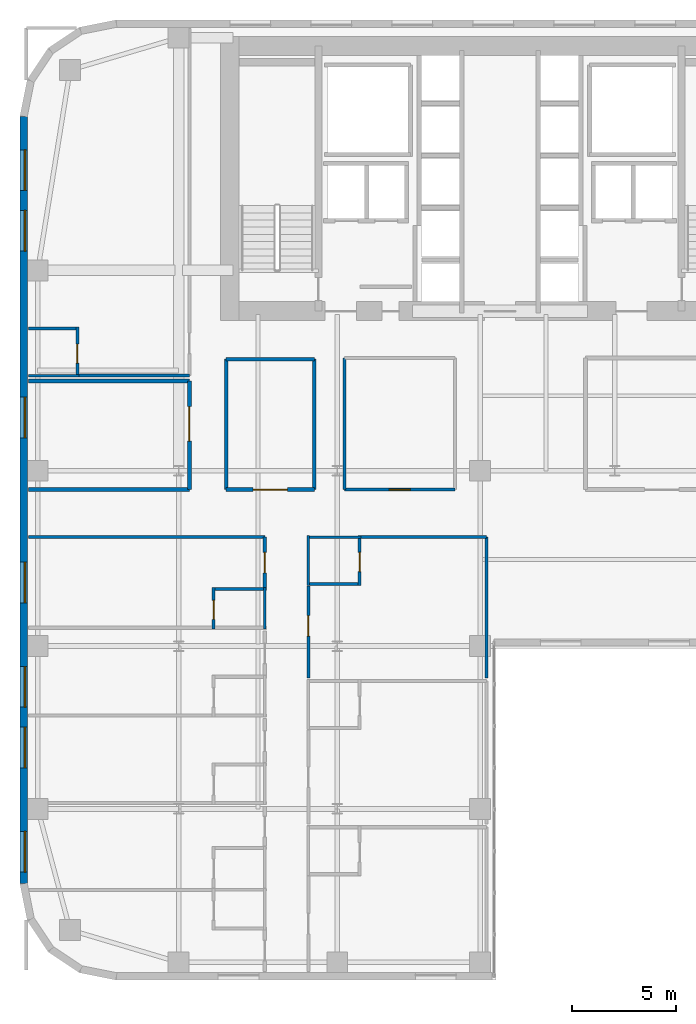
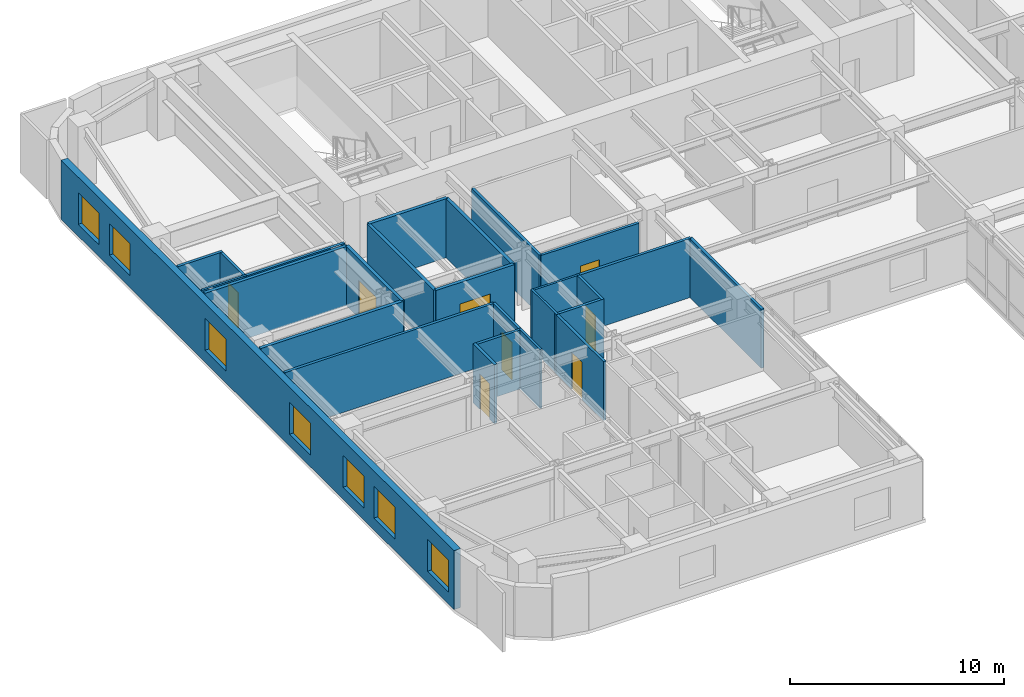
# One storey, part 11 of 17: 26 walls, 8 doors, 7 windows, 15 openings.
"""IFC4 building model written with IfcOpenShell, lengths in metres."""

from ifc_helpers import new_model, si_unit, direction, frame, frame_2d, origin, place, context, subcontext, project, spatial, rectangle, extrude, source, transform, mapped, material, layer, layer_set, type_object, type_shapes, element, fill, save


model = new_model("IFC4")

# Units and contexts
model_context = context("Model", 3, precision=1e-05, world=origin(), true_north=direction((0.0, 1.0)))
body_context = subcontext(model_context, "Body", "Model", "MODEL_VIEW")
ifc_project = project(units=[si_unit("LENGTHUNIT", "METRE"), si_unit("AREAUNIT", "SQUARE_METRE"), si_unit("VOLUMEUNIT", "CUBIC_METRE"), si_unit("PLANEANGLEUNIT", "RADIAN"), si_unit("MASSUNIT", "GRAM", prefix="KILO")], contexts=[model_context])

# Site, building, storey
site_placement = place(None, origin())
site = spatial("IfcSite", under=ifc_project, at=site_placement, CompositionType="ELEMENT")
building_placement = place(site_placement, origin())
building = spatial("IfcBuilding", under=site, at=building_placement, Name="Tolvann Quenvar Hotel", CompositionType="ELEMENT")
storey_placement = place(building_placement, frame((0.0, 0.0, 35.550048828125)))
storey = spatial("IfcBuildingStorey", under=building, at=storey_placement, Name="L07", CompositionType="ELEMENT", Elevation=35.550048828125)

# Wall, openings, windows
ifc_material_1 = material(Name="Kiln-fired red and buff architectural clay brickwork and terracotta masonry", Category="masonry")
ifc_layer_1 = layer(ifc_material_1, 0.35009765625)
ifc_layer_set_1 = layer_set([ifc_layer_1], Name="Kiln-fired red and buff architectural clay brickwork and terracotta masonry")
wall_type_1 = type_object("IfcWallType", Name="WALL_EXT_BRICK_350", PredefinedType="SOLIDWALL", material=ifc_layer_set_1)
wall_1_placement = place(storey_placement, frame((0.175048828125, 41.3828125, 0.0), z_axis=(0.0, 0.0, 1.0), x_axis=(0.0, -1.0, 0.0)))
wall_1 = element("IfcWall", 1, at=wall_1_placement, inside=storey, type_object=wall_type_1, Name="Exterior Chicago Brick Wall L07-E23", PredefinedType="SOLIDWALL", context=body_context, shape_type="SweptSolid", body=[
    extrude(rectangle(XDim=36.765625, YDim=0.35009765625, at=frame_2d((18.3828125, 0.0))), origin(), (0.0, 0.0, 1.0), 3.369873046875),
])
opening_1_placement = place(wall_1_placement, frame((1.60107421875, 0.0, 0.679931640625)))
opening_1 = element("IfcOpeningElement", 2, at=opening_1_placement, cuts=wall_1, Name="Opening W-10", PredefinedType="OPENING", context=body_context, shape_type="SweptSolid", body=[
    extrude(rectangle(XDim=1.949951171875, YDim=1.820068359375, at=frame_2d((0.97509765625, 0.91015625))), frame((0.0, 0.18505859375, 0.0), z_axis=(0.0, -1.0, 0.0), x_axis=(1.0, 0.0, 0.0)), (0.0, 0.0, 1.0), 0.3701171875),
])
opening_2_placement = place(wall_1_placement, frame((4.5029296875, 0.0, 0.679931640625)))
opening_2 = element("IfcOpeningElement", 3, at=opening_2_placement, cuts=wall_1, Name="Opening W-10", PredefinedType="OPENING", context=body_context, shape_type="SweptSolid", body=[
    extrude(rectangle(XDim=1.949951171875, YDim=1.820068359375, at=frame_2d((0.97509765625, 0.91015625))), frame((0.0, 0.18505859375, 0.0), z_axis=(0.0, -1.0, 0.0), x_axis=(1.0, 0.0, 0.0)), (0.0, 0.0, 1.0), 0.3701171875),
])
opening_3_placement = place(wall_1_placement, frame((13.4560546875, 0.0, 0.679931640625)))
opening_3 = element("IfcOpeningElement", 4, at=opening_3_placement, cuts=wall_1, Name="Opening W-10", PredefinedType="OPENING", context=body_context, shape_type="SweptSolid", body=[
    extrude(rectangle(XDim=1.949951171875, YDim=1.820068359375, at=frame_2d((0.97509765625, 0.91015625))), frame((0.0, 0.18505859375, 0.0), z_axis=(0.0, -1.0, 0.0), x_axis=(1.0, 0.0, 0.0)), (0.0, 0.0, 1.0), 0.3701171875),
])
opening_4_placement = place(wall_1_placement, frame((21.360107421875, 0.0, 0.679931640625)))
opening_4 = element("IfcOpeningElement", 5, at=opening_4_placement, cuts=wall_1, Name="Opening W-10", PredefinedType="OPENING", context=body_context, shape_type="SweptSolid", body=[
    extrude(rectangle(XDim=1.949951171875, YDim=1.820068359375, at=frame_2d((0.97509765625, 0.91015625))), frame((0.0, 0.18505859375, 0.0), z_axis=(0.0, -1.0, 0.0), x_axis=(1.0, 0.0, 0.0)), (0.0, 0.0, 1.0), 0.3701171875),
])
opening_5_placement = place(wall_1_placement, frame((26.361083984375, 0.0, 0.679931640625)))
opening_5 = element("IfcOpeningElement", 6, at=opening_5_placement, cuts=wall_1, Name="Opening W-10", PredefinedType="OPENING", context=body_context, shape_type="SweptSolid", body=[
    extrude(rectangle(XDim=1.949951171875, YDim=1.820068359375, at=frame_2d((0.97509765625, 0.91015625))), frame((0.0, 0.18505859375, 0.0), z_axis=(0.0, -1.0, 0.0), x_axis=(1.0, 0.0, 0.0)), (0.0, 0.0, 1.0), 0.3701171875),
])
opening_6_placement = place(wall_1_placement, frame((29.262939453125, 0.0, 0.679931640625)))
opening_6 = element("IfcOpeningElement", 7, at=opening_6_placement, cuts=wall_1, Name="Opening W-10", PredefinedType="OPENING", context=body_context, shape_type="SweptSolid", body=[
    extrude(rectangle(XDim=1.949951171875, YDim=1.820068359375, at=frame_2d((0.97509765625, 0.91015625))), frame((0.0, 0.18505859375, 0.0), z_axis=(0.0, -1.0, 0.0), x_axis=(1.0, 0.0, 0.0)), (0.0, 0.0, 1.0), 0.3701171875),
])
opening_7_placement = place(wall_1_placement, frame((34.264892578125, 0.0, 0.679931640625)))
opening_7 = element("IfcOpeningElement", 8, at=opening_7_placement, cuts=wall_1, Name="Opening W-10", PredefinedType="OPENING", context=body_context, shape_type="SweptSolid", body=[
    extrude(rectangle(XDim=1.949951171875, YDim=1.820068359375, at=frame_2d((0.97509765625, 0.91015625))), frame((0.0, 0.18505859375, 0.0), z_axis=(0.0, -1.0, 0.0), x_axis=(1.0, 0.0, 0.0)), (0.0, 0.0, 1.0), 0.3701171875),
])
ifc_material_2 = material(Name="Thermally broken bronze-anodised aluminium frame with double low-E glazing", Category="aluminium")
window_type = type_object("IfcWindowType", Name="WIN_CLB_1950x1850", PartitioningType="DOUBLE_PANEL_VERTICAL", PredefinedType="WINDOW", material=ifc_material_2)
shared_shape_1 = source(origin(), body_context, "Body", "SweptSolid", [
    extrude(rectangle(XDim=1.949951171875, YDim=1.820068359375, at=frame_2d((0.97509765625, 0.91015625))), frame((0.0, 0.090087890625, 0.0), z_axis=(0.0, -1.0, 0.0), x_axis=(1.0, 0.0, 0.0)), (0.0, 0.0, 1.0), 0.06005859375),
])
type_shapes(window_type, [shared_shape_1])
window_1_placement = place(opening_1_placement, origin())
window_1 = element("IfcWindow", 9, at=window_1_placement, inside=storey, type_object=window_type, Name="Chicago Window W-10 (EW-L07-E23-W01)", OverallHeight=1.820068359375, OverallWidth=1.949951171875, PartitioningType="DOUBLE_PANEL_VERTICAL", PredefinedType="WINDOW", context=body_context, shape_type="MappedRepresentation", body=[
    mapped(shared_shape_1, transform((0.0, 0.0, 0.0), x_axis=(1.0, 0.0, 0.0), y_axis=(0.0, 1.0, 0.0), z_axis=(0.0, 0.0, 1.0), scale=1.0)),
])
fill(opening_1, window_1)
window_2_placement = place(opening_2_placement, origin())
window_2 = element("IfcWindow", 10, at=window_2_placement, inside=storey, type_object=window_type, Name="Chicago Window W-10 (EW-L07-E23-W02)", OverallHeight=1.820068359375, OverallWidth=1.949951171875, PartitioningType="DOUBLE_PANEL_VERTICAL", PredefinedType="WINDOW", context=body_context, shape_type="MappedRepresentation", body=[
    mapped(shared_shape_1, transform((0.0, 0.0, 0.0), x_axis=(1.0, 0.0, 0.0), y_axis=(0.0, 1.0, 0.0), z_axis=(0.0, 0.0, 1.0), scale=1.0)),
])
fill(opening_2, window_2)
window_3_placement = place(opening_3_placement, origin())
window_3 = element("IfcWindow", 11, at=window_3_placement, inside=storey, type_object=window_type, Name="Chicago Window W-10 (EW-L07-E23-W03)", OverallHeight=1.820068359375, OverallWidth=1.949951171875, PartitioningType="DOUBLE_PANEL_VERTICAL", PredefinedType="WINDOW", context=body_context, shape_type="MappedRepresentation", body=[
    mapped(shared_shape_1, transform((0.0, 0.0, 0.0), x_axis=(1.0, 0.0, 0.0), y_axis=(0.0, 1.0, 0.0), z_axis=(0.0, 0.0, 1.0), scale=1.0)),
])
fill(opening_3, window_3)
window_4_placement = place(opening_4_placement, origin())
window_4 = element("IfcWindow", 12, at=window_4_placement, inside=storey, type_object=window_type, Name="Chicago Window W-10 (EW-L07-E23-W04)", OverallHeight=1.820068359375, OverallWidth=1.949951171875, PartitioningType="DOUBLE_PANEL_VERTICAL", PredefinedType="WINDOW", context=body_context, shape_type="MappedRepresentation", body=[
    mapped(shared_shape_1, transform((0.0, 0.0, 0.0), x_axis=(1.0, 0.0, 0.0), y_axis=(0.0, 1.0, 0.0), z_axis=(0.0, 0.0, 1.0), scale=1.0)),
])
fill(opening_4, window_4)
window_5_placement = place(opening_5_placement, origin())
window_5 = element("IfcWindow", 13, at=window_5_placement, inside=storey, type_object=window_type, Name="Chicago Window W-10 (EW-L07-E23-W05)", OverallHeight=1.820068359375, OverallWidth=1.949951171875, PartitioningType="DOUBLE_PANEL_VERTICAL", PredefinedType="WINDOW", context=body_context, shape_type="MappedRepresentation", body=[
    mapped(shared_shape_1, transform((0.0, 0.0, 0.0), x_axis=(1.0, 0.0, 0.0), y_axis=(0.0, 1.0, 0.0), z_axis=(0.0, 0.0, 1.0), scale=1.0)),
])
fill(opening_5, window_5)
window_6_placement = place(opening_6_placement, origin())
window_6 = element("IfcWindow", 14, at=window_6_placement, inside=storey, type_object=window_type, Name="Chicago Window W-10 (EW-L07-E23-W06)", OverallHeight=1.820068359375, OverallWidth=1.949951171875, PartitioningType="DOUBLE_PANEL_VERTICAL", PredefinedType="WINDOW", context=body_context, shape_type="MappedRepresentation", body=[
    mapped(shared_shape_1, transform((0.0, 0.0, 0.0), x_axis=(1.0, 0.0, 0.0), y_axis=(0.0, 1.0, 0.0), z_axis=(0.0, 0.0, 1.0), scale=1.0)),
])
fill(opening_6, window_6)
window_7_placement = place(opening_7_placement, origin())
window_7 = element("IfcWindow", 15, at=window_7_placement, inside=storey, type_object=window_type, Name="Chicago Window W-10 (EW-L07-E23-W07)", OverallHeight=1.820068359375, OverallWidth=1.949951171875, PartitioningType="DOUBLE_PANEL_VERTICAL", PredefinedType="WINDOW", context=body_context, shape_type="MappedRepresentation", body=[
    mapped(shared_shape_1, transform((0.0, 0.0, 0.0), x_axis=(1.0, 0.0, 0.0), y_axis=(0.0, 1.0, 0.0), z_axis=(0.0, 0.0, 1.0), scale=1.0)),
])
fill(opening_7, window_7)

# Wall, opening, door
ifc_material_3 = material(Name="Acoustic twin-stud fire-rated gypsum plasterboard partition")
ifc_layer_2 = layer(ifc_material_3, 0.179931640625)
ifc_layer_set_2 = layer_set([ifc_layer_2], Name="Acoustic twin-stud fire-rated gypsum plasterboard partition")
wall_type_2 = type_object("IfcWallType", Name="WALL_PART_ACOUSTIC_180", PredefinedType="PARTITIONING", material=ifc_layer_set_2)
wall_2_placement = place(storey_placement, frame((8.1201171875, 23.5, 0.0), z_axis=(0.0, 0.0, 1.0), x_axis=(0.0, 1.0, 0.0)))
wall_2 = element("IfcWall", 16, at=wall_2_placement, inside=storey, type_object=wall_type_2, Name="Interior Partition PT-SPC-L07-SAL-ENT", PredefinedType="PARTITIONING", context=body_context, shape_type="SweptSolid", body=[
    extrude(rectangle(XDim=5.199951171875, YDim=0.179931640625, at=frame_2d((2.60009765625, 0.0))), origin(), (0.0, 0.0, 1.0), 3.369873046875),
])
opening_8_placement = place(wall_2_placement, frame((2.324951171875, 0.0, 0.0)))
opening_8 = element("IfcOpeningElement", 17, at=opening_8_placement, cuts=wall_2, Name="Opening AD-01", PredefinedType="OPENING", context=body_context, shape_type="SweptSolid", body=[
    extrude(rectangle(XDim=1.64990234375, YDim=2.14990234375, at=frame_2d((0.824951171875, 1.074951171875))), frame((0.0, 0.10009765625, 0.0), z_axis=(0.0, -1.0, 0.0), x_axis=(1.0, 0.0, 0.0)), (0.0, 0.0, 1.0), 0.199951171875),
])
ifc_material_4 = material(Name="Solid-core American oak acoustic fire door leaf in steel frame", Category="steel")
door_type_1 = type_object("IfcDoorType", Name="DOOR_SALON_1650", OperationType="NOTDEFINED", PredefinedType="DOOR", material=ifc_material_4)
shared_shape_2 = source(origin(), body_context, "Body", "SweptSolid", [
    extrude(rectangle(XDim=1.64990234375, YDim=2.14990234375, at=frame_2d((0.824951171875, 1.074951171875))), frame((0.0, 0.02490234375, 0.0), z_axis=(0.0, -1.0, 0.0), x_axis=(1.0, 0.0, 0.0)), (0.0, 0.0, 1.0), 0.050048828125),
])
type_shapes(door_type_1, [shared_shape_2])
door_1_placement = place(opening_8_placement, origin())
door_1 = element("IfcDoor", 18, at=door_1_placement, inside=storey, type_object=door_type_1, Name="Interior Door DOOR-SPC-L07-SAL", OperationType="DOUBLE_DOOR_SINGLE_SWING", OverallHeight=2.14990234375, OverallWidth=1.64990234375, PredefinedType="DOOR", context=body_context, shape_type="MappedRepresentation", body=[
    mapped(shared_shape_2, transform((0.0, 0.0, 0.0), x_axis=(1.0, 0.0, 0.0), y_axis=(0.0, 1.0, 0.0), z_axis=(0.0, 0.0, 1.0), scale=1.0)),
])
fill(opening_8, door_1)

# Walls
for number, where, z_axis, x_axis, name in (
    (19, (0.405029296875, 23.5, 0.0), (0.0, 0.0, 1.0), (1.0, 0.0, 0.0), "Interior Partition PT-SPC-L07-SAL-S"),
    (20, (0.405029296875, 28.699951171875, 0.0), (0.0, 0.0, 1.0), (1.0, 0.0, 0.0), "Interior Partition PT-SPC-L07-SAL-N"),
):
    element("IfcWall", number, at=place(storey_placement, frame(where, z_axis=z_axis, x_axis=x_axis)), inside=storey, type_object=wall_type_2, Name=name, PredefinedType="PARTITIONING", context=body_context, shape_type="SweptSolid", body=[
        extrude(rectangle(XDim=7.715087890625, YDim=0.179931640625, at=frame_2d((3.857421875, 0.0))), origin(), (0.0, 0.0, 1.0), 3.369873046875),
    ])

# Wall, opening, door
wall_3_placement = place(storey_placement, frame((9.8798828125, 23.5, 0.0), z_axis=(0.0, 0.0, 1.0), x_axis=(1.0, 0.0, 0.0)))
wall_3 = element("IfcWall", 21, at=wall_3_placement, inside=storey, type_object=wall_type_2, Name="Interior Partition PT-SPC-L07-MSP-W-S", PredefinedType="PARTITIONING", context=body_context, shape_type="SweptSolid", body=[
    extrude(rectangle(XDim=4.22021484375, YDim=0.179931640625, at=frame_2d((2.110107421875, 0.0))), origin(), (0.0, 0.0, 1.0), 3.369873046875),
])
opening_9_placement = place(wall_3_placement, frame((1.284912109375, 0.0, 0.0)))
opening_9 = element("IfcOpeningElement", 22, at=opening_9_placement, cuts=wall_3, Name="Opening AD-01", PredefinedType="OPENING", context=body_context, shape_type="SweptSolid", body=[
    extrude(rectangle(XDim=1.64990234375, YDim=2.14990234375, at=frame_2d((0.824951171875, 1.074951171875))), frame((0.0, 0.10009765625, 0.0), z_axis=(0.0, -1.0, 0.0), x_axis=(1.0, 0.0, 0.0)), (0.0, 0.0, 1.0), 0.199951171875),
])
door_2_placement = place(opening_9_placement, origin())
door_2 = element("IfcDoor", 23, at=door_2_placement, inside=storey, type_object=door_type_1, Name="Interior Door DOOR-SPC-L07-MSP-W", OperationType="DOUBLE_DOOR_SINGLE_SWING", OverallHeight=2.14990234375, OverallWidth=1.64990234375, PredefinedType="DOOR", context=body_context, shape_type="MappedRepresentation", body=[
    mapped(shared_shape_2, transform((0.0, 0.0, 0.0), x_axis=(1.0, 0.0, 0.0), y_axis=(0.0, 1.0, 0.0), z_axis=(0.0, 0.0, 1.0), scale=1.0)),
])
fill(opening_9, door_2)

# Walls
wall_4_placement = place(storey_placement, frame((9.8798828125, 29.75, 0.0), z_axis=(0.0, 0.0, 1.0), x_axis=(1.0, 0.0, 0.0)))
element("IfcWall", 24, at=wall_4_placement, inside=storey, type_object=wall_type_2, Name="Interior Partition PT-SPC-L07-MSP-W-N", PredefinedType="PARTITIONING", context=body_context, shape_type="SweptSolid", body=[
    extrude(rectangle(XDim=4.22021484375, YDim=0.179931640625, at=frame_2d((2.110107421875, 0.0))), origin(), (0.0, 0.0, 1.0), 3.369873046875),
])
for number, where, z_axis, x_axis, name in (
    (25, (9.8798828125, 23.5, 0.0), (0.0, 0.0, 1.0), (0.0, 1.0, 0.0), "Interior Partition PT-SPC-L07-MSP-W-W"),
    (26, (14.10009765625, 23.5, 0.0), (0.0, 0.0, 1.0), (0.0, 1.0, 0.0), "Interior Partition PT-SPC-L07-MSP-W-E"),
):
    element("IfcWall", number, at=place(storey_placement, frame(where, z_axis=z_axis, x_axis=x_axis)), inside=storey, type_object=wall_type_2, Name=name, PredefinedType="PARTITIONING", context=body_context, shape_type="SweptSolid", body=[
        extrude(rectangle(XDim=6.25, YDim=0.179931640625, at=frame_2d((3.125, 0.0))), origin(), (0.0, 0.0, 1.0), 3.369873046875),
    ])
ifc_material_5 = material(Name="Moisture-resistant acoustic plumbing wall assembly")
ifc_layer_3 = layer(ifc_material_5, 0.1201171875)
ifc_layer_set_3 = layer_set([ifc_layer_3], Name="Moisture-resistant acoustic plumbing wall assembly")
wall_type_3 = type_object("IfcWallType", Name="WALL_PART_BATH_120", PredefinedType="PLUMBINGWALL", material=ifc_layer_set_3)
wall_5_placement = place(storey_placement, frame((11.72998046875, 16.81005859375, 0.0), z_axis=(0.0, 0.0, 1.0), x_axis=(0.0, 1.0, 0.0)))
element("IfcWall", 27, at=wall_5_placement, inside=storey, type_object=wall_type_3, Name="Non-Rated Plumbing Partition PT-SPC-L07-ENS-WO05-E", PredefinedType="PLUMBINGWALL", context=body_context, shape_type="SweptSolid", body=[
    extrude(rectangle(XDim=1.989990234375, YDim=0.1201171875, at=frame_2d((0.9951171875, 0.0))), origin(), (0.0, 0.0, 1.0), 3.369873046875),
])
wall_6_placement = place(storey_placement, frame((13.75, 21.219970703125, 0.0), z_axis=(0.0, 0.0, 1.0), x_axis=(1.0, 0.0, 0.0)))
element("IfcWall", 28, at=wall_6_placement, inside=storey, type_object=wall_type_3, Name="Non-Rated Plumbing Partition PT-SPC-L07-ENS-WI03-N", PredefinedType="PLUMBINGWALL", context=body_context, shape_type="SweptSolid", body=[
    extrude(rectangle(XDim=2.590087890625, YDim=0.1201171875, at=frame_2d((1.294921875, 0.0))), origin(), (0.0, 0.0, 1.0), 3.369873046875),
])
wall_7_placement = place(storey_placement, frame((13.820068359375, 18.89990234375, 0.0), z_axis=(0.0, 0.0, 1.0), x_axis=(0.0, 1.0, 0.0)))
element("IfcWall", 29, at=wall_7_placement, inside=storey, type_object=wall_type_3, Name="Non-Rated Plumbing Partition PT-SPC-L07-ENS-WI03-W", PredefinedType="PLUMBINGWALL", context=body_context, shape_type="SweptSolid", body=[
    extrude(rectangle(XDim=2.39013671875, YDim=0.1201171875, at=frame_2d((1.195068359375, 0.0))), origin(), (0.0, 0.0, 1.0), 3.369873046875),
])
wall_8_placement = place(storey_placement, frame((0.405029296875, 28.9599609375, 0.0), z_axis=(0.0, 0.0, 1.0), x_axis=(1.0, 0.0, 0.0)))
element("IfcWall", 30, at=wall_8_placement, inside=storey, type_object=wall_type_3, Name="Non-Rated Plumbing Partition PT-SPC-L07-ENS-NW01-S", PredefinedType="PLUMBINGWALL", context=body_context, shape_type="SweptSolid", body=[
    extrude(rectangle(XDim=2.4150390625, YDim=0.1201171875, at=frame_2d((1.20751953125, 0.0))), origin(), (0.0, 0.0, 1.0), 3.369873046875),
])

# Wall, opening, door
ifc_layer_4 = layer(ifc_material_3, 0.14990234375)
ifc_layer_set_4 = layer_set([ifc_layer_4], Name="Acoustic twin-stud fire-rated gypsum plasterboard partition")
wall_type_4 = type_object("IfcWallType", Name="WALL_PART_SUITE_150", PredefinedType="PARTITIONING", material=ifc_layer_set_4)
wall_9_placement = place(storey_placement, frame((9.280029296875, 16.81005859375, 0.0), z_axis=(0.0, 0.0, 1.0), x_axis=(0.0, 1.0, 0.0)))
wall_9 = element("IfcWall", 31, at=wall_9_placement, inside=storey, type_object=wall_type_4, Name="Interior Partition PT-SPC-L07-ENS-WO05-ENT", PredefinedType="PARTITIONING", context=body_context, shape_type="SweptSolid", body=[
    extrude(rectangle(XDim=1.989990234375, YDim=0.14990234375, at=frame_2d((0.9951171875, 0.0))), origin(), (0.0, 0.0, 1.0), 3.369873046875),
])
opening_10_placement = place(wall_9_placement, frame((0.465087890625, 0.0, 0.0)))
opening_10 = element("IfcOpeningElement", 32, at=opening_10_placement, cuts=wall_9, Name="Opening WD-01", PredefinedType="OPENING", context=body_context, shape_type="SweptSolid", body=[
    extrude(rectangle(XDim=0.919921875, YDim=2.010009765625, at=frame_2d((0.4599609375, 1.0048828125))), frame((0.0, 0.0849609375, 0.0), z_axis=(0.0, -1.0, 0.0), x_axis=(1.0, 0.0, 0.0)), (0.0, 0.0, 1.0), 0.169921875),
])
door_type_2 = type_object("IfcDoorType", Name="DOOR_WC_920", OperationType="NOTDEFINED", PredefinedType="DOOR", material=ifc_material_4)
shared_shape_3 = source(origin(), body_context, "Body", "SweptSolid", [
    extrude(rectangle(XDim=0.919921875, YDim=2.010009765625, at=frame_2d((0.4599609375, 1.0048828125))), frame((0.0, 0.02490234375, 0.0), z_axis=(0.0, -1.0, 0.0), x_axis=(1.0, 0.0, 0.0)), (0.0, 0.0, 1.0), 0.050048828125),
])
type_shapes(door_type_2, [shared_shape_3])
door_3_placement = place(opening_10_placement, origin())
door_3 = element("IfcDoor", 33, at=door_3_placement, inside=storey, type_object=door_type_2, Name="Interior Door DOOR-SPC-L07-ENS-WO05", OperationType="SINGLE_SWING_RIGHT", OverallHeight=2.010009765625, OverallWidth=0.919921875, PredefinedType="DOOR", context=body_context, shape_type="MappedRepresentation", body=[
    mapped(shared_shape_3, transform((0.0, 0.0, 0.0), x_axis=(1.0, 0.0, 0.0), y_axis=(0.0, 1.0, 0.0), z_axis=(0.0, 0.0, 1.0), scale=1.0)),
])
fill(opening_10, door_3)

# Wall
wall_10_placement = place(storey_placement, frame((9.2099609375, 18.72998046875, 0.0), z_axis=(0.0, 0.0, 1.0), x_axis=(1.0, 0.0, 0.0)))
element("IfcWall", 34, at=wall_10_placement, inside=storey, type_object=wall_type_4, Name="Interior Partition PT-SPC-L07-ENS-WO05-N", PredefinedType="PARTITIONING", context=body_context, shape_type="SweptSolid", body=[
    extrude(rectangle(XDim=2.590087890625, YDim=0.14990234375, at=frame_2d((1.294921875, 0.0))), origin(), (0.0, 0.0, 1.0), 3.369873046875),
])

# Wall, opening, door
wall_11_placement = place(storey_placement, frame((16.27001953125, 18.89990234375, 0.0), z_axis=(0.0, 0.0, 1.0), x_axis=(0.0, 1.0, 0.0)))
wall_11 = element("IfcWall", 35, at=wall_11_placement, inside=storey, type_object=wall_type_4, Name="Interior Partition PT-SPC-L07-ENS-WI03-ENT", PredefinedType="PARTITIONING", context=body_context, shape_type="SweptSolid", body=[
    extrude(rectangle(XDim=2.39013671875, YDim=0.14990234375, at=frame_2d((1.195068359375, 0.0))), origin(), (0.0, 0.0, 1.0), 3.369873046875),
])
opening_11_placement = place(wall_11_placement, frame((0.6650390625, 0.0, 0.0)))
opening_11 = element("IfcOpeningElement", 36, at=opening_11_placement, cuts=wall_11, Name="Opening WD-01", PredefinedType="OPENING", context=body_context, shape_type="SweptSolid", body=[
    extrude(rectangle(XDim=0.919921875, YDim=2.010009765625, at=frame_2d((0.4599609375, 1.0048828125))), frame((0.0, 0.0849609375, 0.0), z_axis=(0.0, -1.0, 0.0), x_axis=(1.0, 0.0, 0.0)), (0.0, 0.0, 1.0), 0.169921875),
])
door_4_placement = place(opening_11_placement, origin())
door_4 = element("IfcDoor", 37, at=door_4_placement, inside=storey, type_object=door_type_2, Name="Interior Door DOOR-SPC-L07-ENS-WI03", OperationType="SINGLE_SWING_LEFT", OverallHeight=2.010009765625, OverallWidth=0.919921875, PredefinedType="DOOR", context=body_context, shape_type="MappedRepresentation", body=[
    mapped(shared_shape_3, transform((0.0, 0.0, 0.0), x_axis=(1.0, 0.0, 0.0), y_axis=(0.0, 1.0, 0.0), z_axis=(0.0, 0.0, 1.0), scale=1.0)),
])
fill(opening_11, door_4)

# Wall
wall_12_placement = place(storey_placement, frame((13.75, 18.969970703125, 0.0), z_axis=(0.0, 0.0, 1.0), x_axis=(1.0, 0.0, 0.0)))
element("IfcWall", 38, at=wall_12_placement, inside=storey, type_object=wall_type_4, Name="Interior Partition PT-SPC-L07-ENS-WI03-S", PredefinedType="PARTITIONING", context=body_context, shape_type="SweptSolid", body=[
    extrude(rectangle(XDim=2.590087890625, YDim=0.14990234375, at=frame_2d((1.294921875, 0.0))), origin(), (0.0, 0.0, 1.0), 3.369873046875),
])

# Wall, opening, door
wall_13_placement = place(storey_placement, frame((2.75, 28.889892578125, 0.0), z_axis=(0.0, 0.0, 1.0), x_axis=(0.0, 1.0, 0.0)))
wall_13 = element("IfcWall", 39, at=wall_13_placement, inside=storey, type_object=wall_type_4, Name="Interior Partition PT-SPC-L07-ENS-NW01-ENT", PredefinedType="PARTITIONING", context=body_context, shape_type="SweptSolid", body=[
    extrude(rectangle(XDim=2.39013671875, YDim=0.14990234375, at=frame_2d((1.195068359375, 0.0))), origin(), (0.0, 0.0, 1.0), 3.369873046875),
])
opening_12_placement = place(wall_13_placement, frame((0.6650390625, 0.0, 0.0)))
opening_12 = element("IfcOpeningElement", 40, at=opening_12_placement, cuts=wall_13, Name="Opening WD-01", PredefinedType="OPENING", context=body_context, shape_type="SweptSolid", body=[
    extrude(rectangle(XDim=0.919921875, YDim=2.010009765625, at=frame_2d((0.4599609375, 1.0048828125))), frame((0.0, 0.0849609375, 0.0), z_axis=(0.0, -1.0, 0.0), x_axis=(1.0, 0.0, 0.0)), (0.0, 0.0, 1.0), 0.169921875),
])
door_5_placement = place(opening_12_placement, origin())
door_5 = element("IfcDoor", 41, at=door_5_placement, inside=storey, type_object=door_type_2, Name="Interior Door DOOR-SPC-L07-ENS-NW01", OperationType="SINGLE_SWING_RIGHT", OverallHeight=2.010009765625, OverallWidth=0.919921875, PredefinedType="DOOR", context=body_context, shape_type="MappedRepresentation", body=[
    mapped(shared_shape_3, transform((0.0, 0.0, 0.0), x_axis=(1.0, 0.0, 0.0), y_axis=(0.0, 1.0, 0.0), z_axis=(0.0, 0.0, 1.0), scale=1.0)),
])
fill(opening_12, door_5)

# Wall
wall_14_placement = place(storey_placement, frame((0.405029296875, 31.2099609375, 0.0), z_axis=(0.0, 0.0, 1.0), x_axis=(1.0, 0.0, 0.0)))
element("IfcWall", 42, at=wall_14_placement, inside=storey, type_object=wall_type_4, Name="Interior Partition PT-SPC-L07-ENS-NW01-N", PredefinedType="PARTITIONING", context=body_context, shape_type="SweptSolid", body=[
    extrude(rectangle(XDim=2.4150390625, YDim=0.14990234375, at=frame_2d((1.20751953125, 0.0))), origin(), (0.0, 0.0, 1.0), 3.369873046875),
])

# Wall, opening, door
wall_15_placement = place(storey_placement, frame((11.72998046875, 18.81005859375, 0.0), z_axis=(0.0, 0.0, 1.0), x_axis=(0.0, 1.0, 0.0)))
wall_15 = element("IfcWall", 43, at=wall_15_placement, inside=storey, type_object=wall_type_4, Name="Interior Partition PT-SPC-L07-RM-WO05-ENT", PredefinedType="PARTITIONING", context=body_context, shape_type="SweptSolid", body=[
    extrude(rectangle(XDim=2.409912109375, YDim=0.14990234375, at=frame_2d((1.205078125, 0.0))), origin(), (0.0, 0.0, 1.0), 3.369873046875),
])
opening_13_placement = place(wall_15_placement, frame((0.695068359375, 0.0, 0.0)))
opening_13 = element("IfcOpeningElement", 44, at=opening_13_placement, cuts=wall_15, Name="Opening SD-01", PredefinedType="OPENING", context=body_context, shape_type="SweptSolid", body=[
    extrude(rectangle(XDim=0.97998046875, YDim=2.1201171875, at=frame_2d((0.489990234375, 1.06005859375))), frame((0.0, 0.0849609375, 0.0), z_axis=(0.0, -1.0, 0.0), x_axis=(1.0, 0.0, 0.0)), (0.0, 0.0, 1.0), 0.169921875),
])
door_type_3 = type_object("IfcDoorType", Name="DOOR_SUITE_980", OperationType="NOTDEFINED", PredefinedType="DOOR", material=ifc_material_4)
shared_shape_4 = source(origin(), body_context, "Body", "SweptSolid", [
    extrude(rectangle(XDim=0.97998046875, YDim=2.1201171875, at=frame_2d((0.489990234375, 1.06005859375))), frame((0.0, 0.02490234375, 0.0), z_axis=(0.0, -1.0, 0.0), x_axis=(1.0, 0.0, 0.0)), (0.0, 0.0, 1.0), 0.050048828125),
])
type_shapes(door_type_3, [shared_shape_4])
door_6_placement = place(opening_13_placement, origin())
door_6 = element("IfcDoor", 45, at=door_6_placement, inside=storey, type_object=door_type_3, Name="Interior Door DOOR-SPC-L07-RM-WO05", OperationType="SINGLE_SWING_RIGHT", OverallHeight=2.1201171875, OverallWidth=0.97998046875, PredefinedType="DOOR", context=body_context, shape_type="MappedRepresentation", body=[
    mapped(shared_shape_4, transform((0.0, 0.0, 0.0), x_axis=(1.0, 0.0, 0.0), y_axis=(0.0, 1.0, 0.0), z_axis=(0.0, 0.0, 1.0), scale=1.0)),
])
fill(opening_13, door_6)

# Wall
wall_16_placement = place(storey_placement, frame((0.405029296875, 21.219970703125, 0.0), z_axis=(0.0, 0.0, 1.0), x_axis=(1.0, 0.0, 0.0)))
element("IfcWall", 46, at=wall_16_placement, inside=storey, type_object=wall_type_4, Name="Interior Partition PT-SPC-L07-RM-WO05-E5", PredefinedType="PARTITIONING", context=body_context, shape_type="SweptSolid", body=[
    extrude(rectangle(XDim=11.324951171875, YDim=0.14990234375, at=frame_2d((5.66259765625, 0.0))), origin(), (0.0, 0.0, 1.0), 3.369873046875),
])

# Wall, opening, door
wall_17_placement = place(storey_placement, frame((13.820068359375, 14.47998046875, 0.0), z_axis=(0.0, 0.0, 1.0), x_axis=(0.0, 1.0, 0.0)))
wall_17 = element("IfcWall", 47, at=wall_17_placement, inside=storey, type_object=wall_type_4, Name="Interior Partition PT-SPC-L07-RM-WI03-ENT", PredefinedType="PARTITIONING", context=body_context, shape_type="SweptSolid", body=[
    extrude(rectangle(XDim=4.409912109375, YDim=0.14990234375, at=frame_2d((2.205078125, 0.0))), origin(), (0.0, 0.0, 1.0), 3.369873046875),
])
opening_14_placement = place(wall_17_placement, frame((1.9951171875, 0.0, 0.0)))
opening_14 = element("IfcOpeningElement", 48, at=opening_14_placement, cuts=wall_17, Name="Opening SD-01", PredefinedType="OPENING", context=body_context, shape_type="SweptSolid", body=[
    extrude(rectangle(XDim=0.97998046875, YDim=2.1201171875, at=frame_2d((0.489990234375, 1.06005859375))), frame((0.0, 0.0849609375, 0.0), z_axis=(0.0, -1.0, 0.0), x_axis=(1.0, 0.0, 0.0)), (0.0, 0.0, 1.0), 0.169921875),
])
door_7_placement = place(opening_14_placement, origin())
door_7 = element("IfcDoor", 49, at=door_7_placement, inside=storey, type_object=door_type_3, Name="Interior Door DOOR-SPC-L07-RM-WI03", OperationType="SINGLE_SWING_LEFT", OverallHeight=2.1201171875, OverallWidth=0.97998046875, PredefinedType="DOOR", context=body_context, shape_type="MappedRepresentation", body=[
    mapped(shared_shape_4, transform((0.0, 0.0, 0.0), x_axis=(1.0, 0.0, 0.0), y_axis=(0.0, 1.0, 0.0), z_axis=(0.0, 0.0, 1.0), scale=1.0)),
])
fill(opening_14, door_7)

# Walls
wall_18_placement = place(storey_placement, frame((22.35009765625, 14.47998046875, 0.0), z_axis=(0.0, 0.0, 1.0), x_axis=(0.0, 1.0, 0.0)))
element("IfcWall", 50, at=wall_18_placement, inside=storey, type_object=wall_type_4, Name="Interior Partition PT-SPC-L07-RM-WI03-E2", PredefinedType="PARTITIONING", context=body_context, shape_type="SweptSolid", body=[
    extrude(rectangle(XDim=6.739990234375, YDim=0.14990234375, at=frame_2d((3.3701171875, 0.0))), origin(), (0.0, 0.0, 1.0), 3.369873046875),
])
wall_19_placement = place(storey_placement, frame((16.2900390625, 21.219970703125, 0.0), z_axis=(0.0, 0.0, 1.0), x_axis=(1.0, 0.0, 0.0)))
element("IfcWall", 51, at=wall_19_placement, inside=storey, type_object=wall_type_4, Name="Interior Partition PT-SPC-L07-RM-WI03-E3", PredefinedType="PARTITIONING", context=body_context, shape_type="SweptSolid", body=[
    extrude(rectangle(XDim=6.06005859375, YDim=0.14990234375, at=frame_2d((3.030029296875, 0.0))), origin(), (0.0, 0.0, 1.0), 3.369873046875),
])
wall_20_placement = place(storey_placement, frame((2.77001953125, 28.9599609375, 0.0), z_axis=(0.0, 0.0, 1.0), x_axis=(1.0, 0.0, 0.0)))
element("IfcWall", 52, at=wall_20_placement, inside=storey, type_object=wall_type_4, Name="Interior Partition PT-SPC-L07-RM-NW01-E3", PredefinedType="PARTITIONING", context=body_context, shape_type="SweptSolid", body=[
    extrude(rectangle(XDim=5.35009765625, YDim=0.14990234375, at=frame_2d((2.675048828125, 0.0))), origin(), (0.0, 0.0, 1.0), 3.369873046875),
])

# Wall, opening, door
wall_21_placement = place(storey_placement, frame((15.550048828125, 23.5, 0.0), z_axis=(0.0, 0.0, 1.0), x_axis=(1.0, 0.0, 0.0)))
wall_21 = element("IfcWall", 53, at=wall_21_placement, inside=storey, type_object=wall_type_4, Name="Interior Partition PT-SPC-L07-MSP-N-S", PredefinedType="PARTITIONING", context=body_context, shape_type="SweptSolid", body=[
    extrude(rectangle(XDim=5.300048828125, YDim=0.14990234375, at=frame_2d((2.64990234375, 0.0))), origin(), (0.0, 0.0, 1.0), 3.369873046875),
])
opening_15_placement = place(wall_21_placement, frame((2.139892578125, 0.0, 0.0)))
opening_15 = element("IfcOpeningElement", 54, at=opening_15_placement, cuts=wall_21, Name="Opening HD-01", PredefinedType="OPENING", context=body_context, shape_type="SweptSolid", body=[
    extrude(rectangle(XDim=1.02001953125, YDim=2.030029296875, at=frame_2d((0.510009765625, 1.01513671875))), frame((0.0, 0.0849609375, 0.0), z_axis=(0.0, -1.0, 0.0), x_axis=(1.0, 0.0, 0.0)), (0.0, 0.0, 1.0), 0.169921875),
])
ifc_material_6 = material(Name="Pressed galvanised steel fire-rated door set", Category="steel")
door_type_4 = type_object("IfcDoorType", Name="DOOR_BOH_1020", OperationType="NOTDEFINED", PredefinedType="DOOR", material=ifc_material_6)
shared_shape_5 = source(origin(), body_context, "Body", "SweptSolid", [
    extrude(rectangle(XDim=1.02001953125, YDim=2.030029296875, at=frame_2d((0.510009765625, 1.01513671875))), frame((0.0, 0.02490234375, 0.0), z_axis=(0.0, -1.0, 0.0), x_axis=(1.0, 0.0, 0.0)), (0.0, 0.0, 1.0), 0.050048828125),
])
type_shapes(door_type_4, [shared_shape_5])
door_8_placement = place(opening_15_placement, origin())
door_8 = element("IfcDoor", 55, at=door_8_placement, inside=storey, type_object=door_type_4, Name="Interior Door DOOR-SPC-L07-MSP-N", OperationType="SINGLE_SWING_LEFT", OverallHeight=2.030029296875, OverallWidth=1.02001953125, PredefinedType="DOOR", context=body_context, shape_type="MappedRepresentation", body=[
    mapped(shared_shape_5, transform((0.0, 0.0, 0.0), x_axis=(1.0, 0.0, 0.0), y_axis=(0.0, 1.0, 0.0), z_axis=(0.0, 0.0, 1.0), scale=1.0)),
])
fill(opening_15, door_8)

# Wall
wall_22_placement = place(storey_placement, frame((15.550048828125, 23.5, 0.0), z_axis=(0.0, 0.0, 1.0), x_axis=(0.0, 1.0, 0.0)))
element("IfcWall", 56, at=wall_22_placement, inside=storey, type_object=wall_type_4, Name="Interior Partition PT-SPC-L07-MSP-N-W", PredefinedType="PARTITIONING", context=body_context, shape_type="SweptSolid", body=[
    extrude(rectangle(XDim=6.300048828125, YDim=0.14990234375, at=frame_2d((3.14990234375, 0.0))), origin(), (0.0, 0.0, 1.0), 3.369873046875),
])

save(model, "model.ifc")
